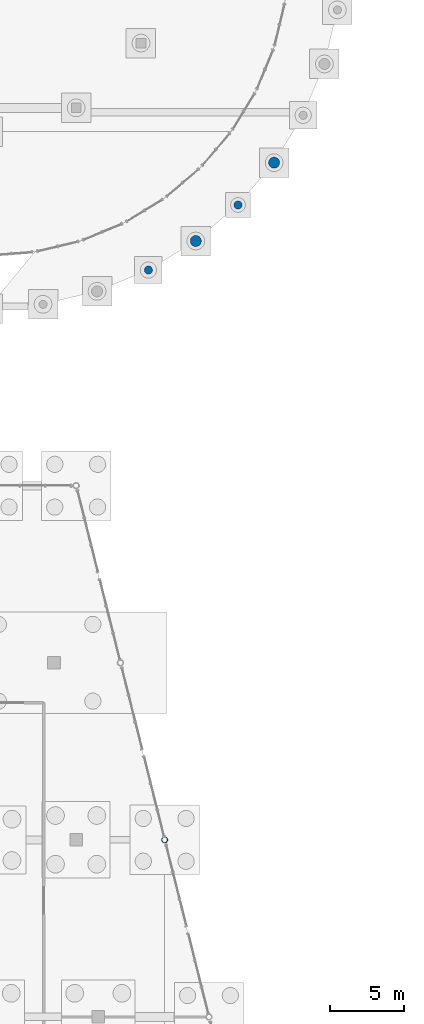
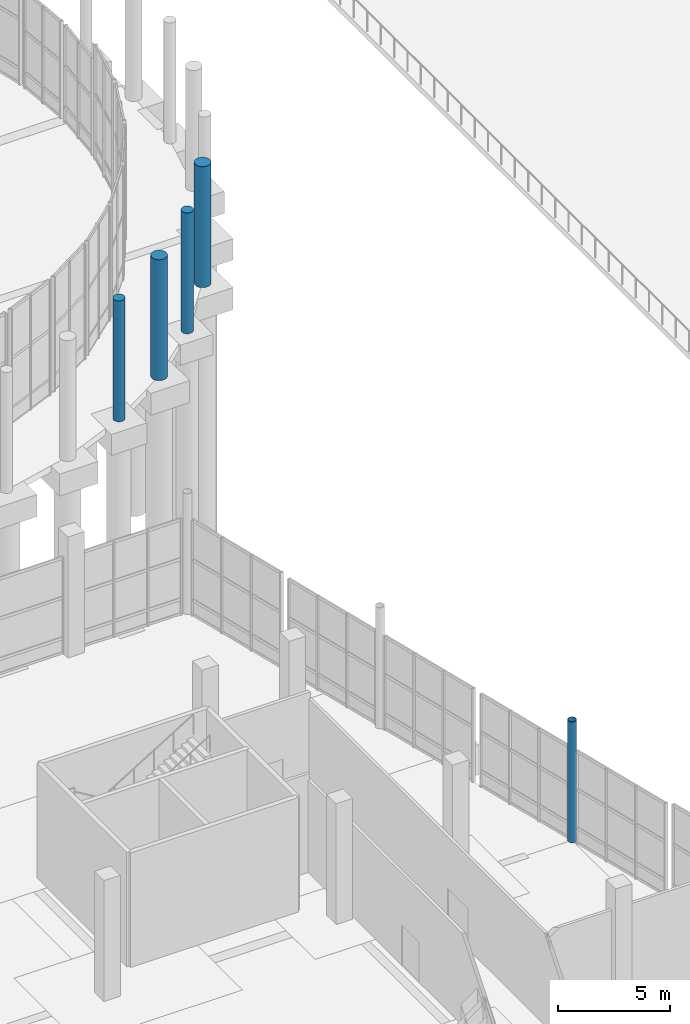
# One storey, part 40 of 117: 5 columns.
"""IFC4 building model written with IfcOpenShell, lengths in metres."""

from ifc_helpers import new_model, si_unit, direction, frame, origin, origin_2d, place, context, subcontext, project, spatial, circle, hollow_circle, extrude, material, material_profile, profile_set, type_object, element, save


model = new_model("IFC4")

# Units and contexts
model_context = context("Model", 3, precision=1e-05, world=origin(), true_north=direction((0.0, 1.0)))
body_context = subcontext(model_context, "Body", "Model", "MODEL_VIEW")
ifc_project = project(units=[si_unit("LENGTHUNIT", "METRE"), si_unit("AREAUNIT", "SQUARE_METRE"), si_unit("VOLUMEUNIT", "CUBIC_METRE"), si_unit("PLANEANGLEUNIT", "RADIAN"), si_unit("MASSUNIT", "GRAM", prefix="KILO")], contexts=[model_context])

# Site, building, storey
site_placement = place(None, origin())
site = spatial("IfcSite", under=ifc_project, at=site_placement, CompositionType="ELEMENT")
building_placement = place(site_placement, origin())
building = spatial("IfcBuilding", under=site, at=building_placement, Name="Kamomehara Wholesale Market", CompositionType="ELEMENT")
storey_placement = place(building_placement, origin())
storey = spatial("IfcBuildingStorey", under=building, at=storey_placement, Name="L00", CompositionType="ELEMENT", Elevation=0.0)

# Columns
ifc_material_1 = material(Name="Precast concrete Fc45 (C40/50)", Category="concrete")
ifc_material_profile_1 = material_profile(ifc_material_1, circle(Radius=0.27490234375, at=origin_2d()), Name="PC-ARC-D550")
ifc_profile_set_1 = profile_set([ifc_material_profile_1], Name="Precast concrete Fc45 (C40/50)")
column_type_1 = type_object("IfcColumnType", Name="COL-ARC550-EXT", PredefinedType="COLUMN", material=ifc_profile_set_1)
for number, where, z_axis, x_axis, name in (
    (1, (190.89599609375, 110.615966796875, 0.0), (0.0, 0.0, 1.0), (1.0, 0.0, 0.0), "Column CA-03E L00"),
    (2, (196.970947265625, 115.029052734375, 0.0), (0.0, 0.0, 1.0), (1.0, 0.0, 0.0), "Column CA-03E L00"),
):
    element("IfcColumn", number, at=place(storey_placement, frame(where, z_axis=z_axis, x_axis=x_axis)), inside=storey, type_object=column_type_1, Name=name, PredefinedType="COLUMN", context=body_context, shape_type="SweptSolid", body=[
        extrude(circle(Radius=0.27490234375, at=origin_2d()), origin(), (0.0, 0.0, 1.0), 6.60009765625),
    ])
ifc_material_2 = material(Name="Precast concrete Fc45 (C40/50)", Category="concrete")
ifc_material_profile_2 = material_profile(ifc_material_2, circle(Radius=0.375, at=origin_2d()), Name="PC-ARC-D750")
ifc_profile_set_2 = profile_set([ifc_material_profile_2], Name="Precast concrete Fc45 (C40/50)")
column_type_2 = type_object("IfcColumnType", Name="COL-ARC750", PredefinedType="COLUMN", material=ifc_profile_set_2)
for number, where, z_axis, x_axis, name in (
    (3, (194.10693359375, 112.583984375, 0.0), (0.0, 0.0, 1.0), (1.0, 0.0, 0.0), "Column CA-02 L00"),
    (4, (199.416015625, 117.89306640625, 0.0), (0.0, 0.0, 1.0), (1.0, 0.0, 0.0), "Column CA-02 L00"),
):
    element("IfcColumn", number, at=place(storey_placement, frame(where, z_axis=z_axis, x_axis=x_axis)), inside=storey, type_object=column_type_2, Name=name, PredefinedType="COLUMN", context=body_context, shape_type="SweptSolid", body=[
        extrude(circle(Radius=0.375, at=origin_2d()), origin(), (0.0, 0.0, 1.0), 6.60009765625),
    ])
ifc_material_3 = material(Name="Steel SN490B", Category="steel")
ifc_material_profile_3 = material_profile(ifc_material_3, hollow_circle(Radius=0.203125, WallThickness=0.01611328125, at=origin_2d()), Name="CHS-406.4x16.0")
ifc_profile_set_3 = profile_set([ifc_material_profile_3], Name="Steel SN490B")
column_type_3 = type_object("IfcColumnType", Name="COL-ST-CHS406", PredefinedType="COLUMN", material=ifc_profile_set_3)
column_placement = place(storey_placement, frame((192.0, 72.0, 0.0), z_axis=(0.0, 0.0, 1.0), x_axis=(1.0, 0.0, 0.0)))
element("IfcColumn", 5, at=column_placement, inside=storey, type_object=column_type_3, Name="Column CS-08 L00", PredefinedType="COLUMN", context=body_context, shape_type="SweptSolid", body=[
    extrude(hollow_circle(Radius=0.203125, WallThickness=0.01611328125, at=origin_2d()), origin(), (0.0, 0.0, 1.0), 6.60009765625),
])

save(model, "model.ifc")
